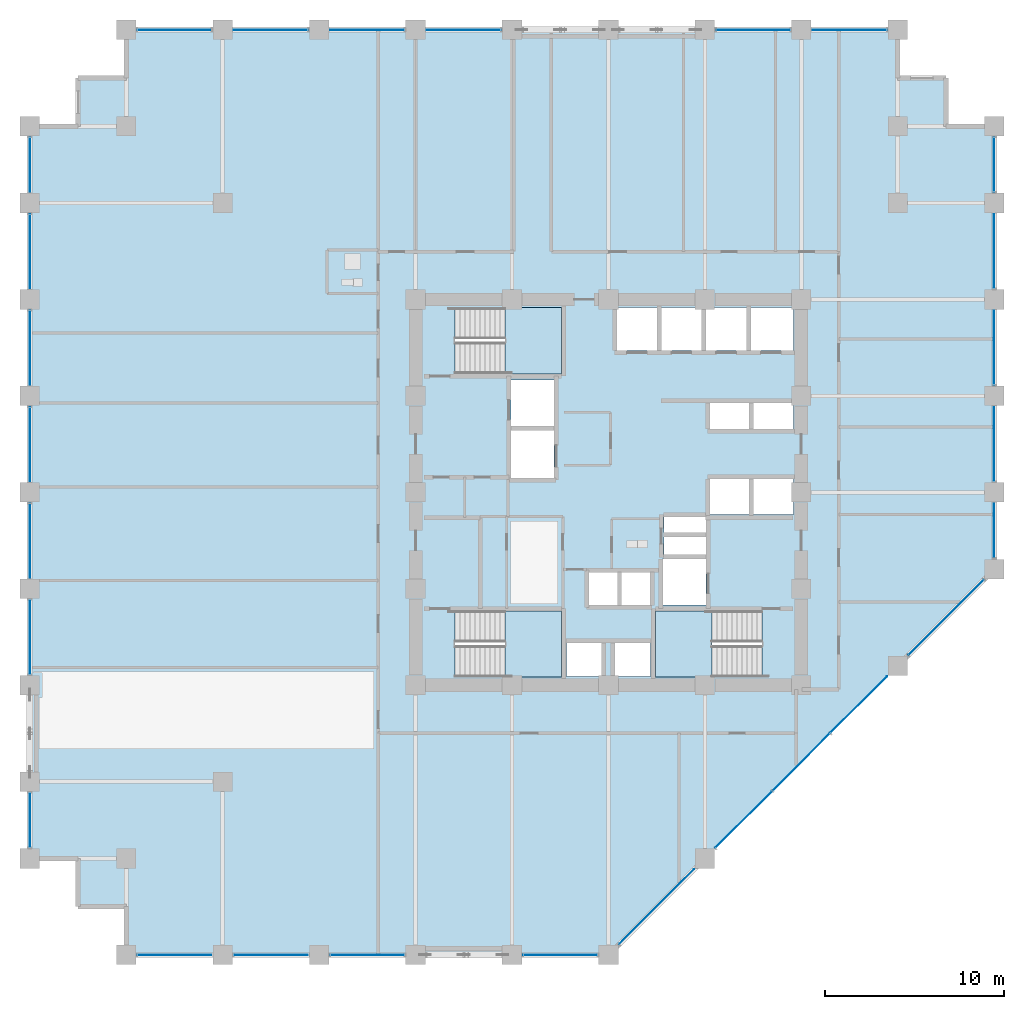
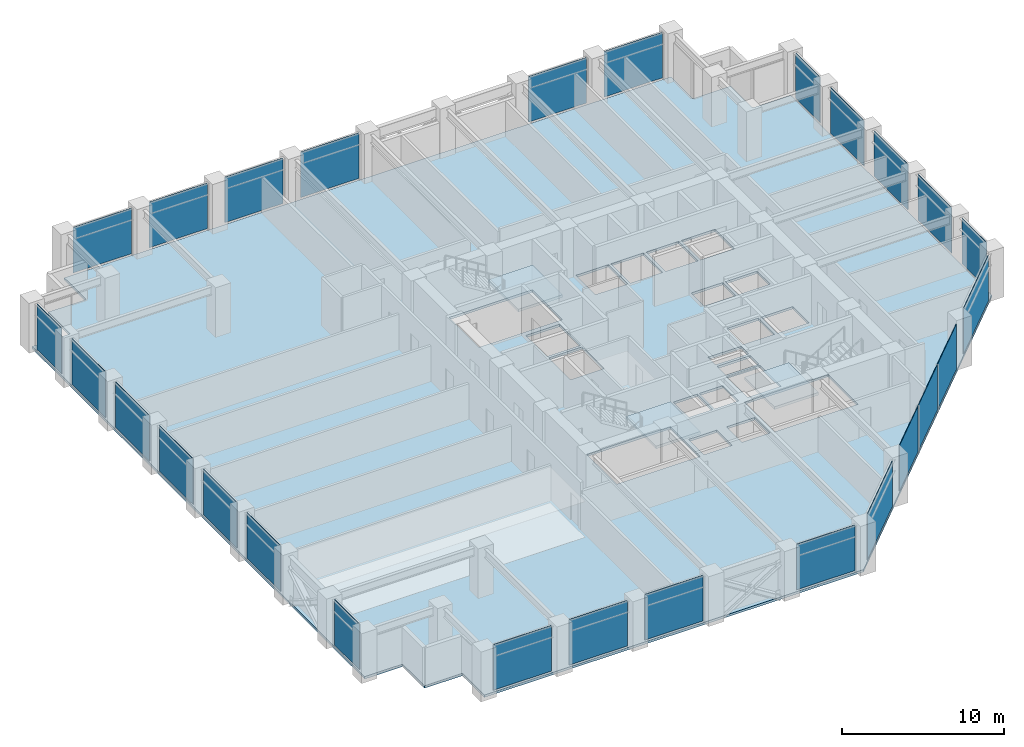
# One storey, part 17 of 25: 27 plates, 4 slabs, 11 elements without a shape of their own.
"""IFC4 building model written with IfcOpenShell, lengths in metres."""

from ifc_helpers import new_model, si_unit, direction, frame, frame_2d, origin, place, context, subcontext, project, spatial, polyline, rectangle, outline, extrude, material, layer, layer_set, type_object, element, aggregate, save


model = new_model("IFC4")

# Units and contexts
model_context = context("Model", 3, precision=1e-05, world=origin(), true_north=direction((0.0, 1.0)))
body_context = subcontext(model_context, "Body", "Model", "MODEL_VIEW")
ifc_project = project(units=[si_unit("LENGTHUNIT", "METRE"), si_unit("AREAUNIT", "SQUARE_METRE"), si_unit("VOLUMEUNIT", "CUBIC_METRE"), si_unit("PLANEANGLEUNIT", "RADIAN"), si_unit("MASSUNIT", "GRAM", prefix="KILO")], contexts=[model_context])

# Site, building, storey
site_placement = place(None, origin())
site = spatial("IfcSite", under=ifc_project, at=site_placement, CompositionType="ELEMENT")
building_placement = place(site_placement, origin())
building = spatial("IfcBuilding", under=site, at=building_placement, Name="Surkhivell Harbour Commons", CompositionType="ELEMENT")
storey_placement = place(building_placement, frame((0.0, 0.0, 109.5)))
storey = spatial("IfcBuildingStorey", under=building, at=storey_placement, Name="L28", CompositionType="ELEMENT", Elevation=109.5)

# Curtain wall, plates
ifc_material_1 = material(Name="Anodised pale-metal aluminium and insulated glazing", Category="aluminium")
ifc_layer_1 = layer(ifc_material_1, 0.205078125)
ifc_layer_set_1 = layer_set([ifc_layer_1], Name="Anodised pale-metal aluminium and insulated glazing")
curtain_wall_type = type_object("IfcCurtainWallType", Name="CW-SYS-Z2", PredefinedType="NOTDEFINED", material=ifc_layer_set_1)
curtain_wall_1_placement = place(storey_placement, origin())
curtain_wall_1 = element("IfcCurtainWall", 1, at=curtain_wall_1_placement, inside=storey, type_object=curtain_wall_type, Name="L28 Curtain Wall CW-L28-E00S1", PredefinedType="NOTDEFINED")
ifc_material_2 = material(Name="High-pressure typhoon laminated vision glass", Category="glass")
ifc_layer_2 = layer(ifc_material_2, 0.035888671875)
ifc_layer_set_2 = layer_set([ifc_layer_2], Name="High-pressure typhoon laminated vision glass")
plate_type = type_object("IfcPlateType", Name="CWP-GLZ-36", PredefinedType="CURTAIN_PANEL", material=ifc_layer_set_2)
plate_1_placement = place(storey_placement, frame((-26.373046875, -25.89990234375, 0.14990234375), z_axis=(0.0, 0.0, 1.0), x_axis=(1.0, 0.0, 0.0)))
plate_1 = element("IfcPlate", 2, at=plate_1_placement, type_object=plate_type, Name="CW-Z2 panel 1.1", PredefinedType="CURTAIN_PANEL", context=body_context, shape_type="SweptSolid", body=[
    extrude(rectangle(XDim=4.14599609375, YDim=0.035888671875, at=frame_2d((2.072998046875, 0.0))), origin(), (0.0, 0.0, 1.0), 3.420166015625),
])
plate_2_placement = place(storey_placement, frame((-20.972900390625, -25.89990234375, 0.14990234375), z_axis=(0.0, 0.0, 1.0), x_axis=(1.0, 0.0, 0.0)))
plate_2 = element("IfcPlate", 3, at=plate_2_placement, type_object=plate_type, Name="CW-Z2 panel 2.1", PredefinedType="CURTAIN_PANEL", context=body_context, shape_type="SweptSolid", body=[
    extrude(rectangle(XDim=4.14599609375, YDim=0.035888671875, at=frame_2d((2.072998046875, 0.0))), origin(), (0.0, 0.0, 1.0), 3.420166015625),
])
plate_3_placement = place(storey_placement, frame((-15.572998046875, -25.89990234375, 0.14990234375), z_axis=(0.0, 0.0, 1.0), x_axis=(1.0, 0.0, 0.0)))
plate_3 = element("IfcPlate", 4, at=plate_3_placement, type_object=plate_type, Name="CW-Z2 panel 3.1", PredefinedType="CURTAIN_PANEL", context=body_context, shape_type="SweptSolid", body=[
    extrude(rectangle(XDim=4.14599609375, YDim=0.035888671875, at=frame_2d((2.072998046875, 0.0))), origin(), (0.0, 0.0, 1.0), 3.420166015625),
])
aggregate(curtain_wall_1, [plate_1, plate_2, plate_3])

# Curtain wall, plate
curtain_wall_2_placement = place(storey_placement, origin())
curtain_wall_2 = element("IfcCurtainWall", 5, at=curtain_wall_2_placement, inside=storey, type_object=curtain_wall_type, Name="L28 Curtain Wall CW-L28-E00S2", PredefinedType="NOTDEFINED")
plate_4_placement = place(storey_placement, frame((-4.77294921875, -25.89990234375, 0.14990234375), z_axis=(0.0, 0.0, 1.0), x_axis=(1.0, 0.0, 0.0)))
plate_4 = element("IfcPlate", 6, at=plate_4_placement, type_object=plate_type, Name="CW-Z2 panel 1.1", PredefinedType="CURTAIN_PANEL", context=body_context, shape_type="SweptSolid", body=[
    extrude(rectangle(XDim=4.14599609375, YDim=0.035888671875, at=frame_2d((2.072998046875, 0.0))), origin(), (0.0, 0.0, 1.0), 3.420166015625),
])
aggregate(curtain_wall_2, [plate_4])

# Curtain wall, plates
curtain_wall_3_placement = place(storey_placement, origin())
curtain_wall_3 = element("IfcCurtainWall", 7, at=curtain_wall_3_placement, inside=storey, type_object=curtain_wall_type, Name="L28 Curtain Wall CW-L28-E01", PredefinedType="NOTDEFINED")
plate_5_placement = place(storey_placement, frame((0.604736328125, -25.295166015625, 0.14990234375), z_axis=(0.0, 0.0, 1.0), x_axis=(0.707106781187, 0.707106781187, 0.0)))
plate_5 = element("IfcPlate", 8, at=plate_5_placement, type_object=plate_type, Name="CW-Z2 panel 1.1", PredefinedType="CURTAIN_PANEL", context=body_context, shape_type="SweptSolid", body=[
    extrude(rectangle(XDim=5.92626953125, YDim=0.035888671875, at=frame_2d((2.963134765625, 0.0))), origin(), (0.0, 0.0, 1.0), 3.420166015625),
])
plate_6_placement = place(storey_placement, frame((6.004638671875, -19.895263671875, 0.14990234375), z_axis=(0.0, 0.0, 1.0), x_axis=(0.707134159244, 0.707079402069, 0.0)))
plate_6 = element("IfcPlate", 9, at=plate_6_placement, type_object=plate_type, Name="CW-Z2 panel 2.1", PredefinedType="CURTAIN_PANEL", context=body_context, shape_type="SweptSolid", body=[
    extrude(rectangle(XDim=4.45849609375, YDim=0.035888671875, at=frame_2d((2.229248046875, 0.0))), origin(), (0.0, 0.0, 1.0), 3.420166015625),
])
plate_7_placement = place(storey_placement, frame((9.21044921875, -16.689697265625, 0.14990234375), z_axis=(0.0, 0.0, 1.0), x_axis=(0.707106781187, 0.707106781187, 0.0)))
plate_7 = element("IfcPlate", 10, at=plate_7_placement, type_object=plate_type, Name="CW-Z2 panel 3.1", PredefinedType="CURTAIN_PANEL", context=body_context, shape_type="SweptSolid", body=[
    extrude(rectangle(XDim=4.49609375, YDim=0.035888671875, at=frame_2d((2.248046875, 0.0))), origin(), (0.0, 0.0, 1.0), 3.420166015625),
])
plate_8_placement = place(storey_placement, frame((12.442626953125, -13.457275390625, 0.14990234375), z_axis=(0.0, 0.0, 1.0), x_axis=(0.707106781187, 0.707106781187, 0.0)))
plate_8 = element("IfcPlate", 11, at=plate_8_placement, type_object=plate_type, Name="CW-Z2 panel 4.1", PredefinedType="CURTAIN_PANEL", context=body_context, shape_type="SweptSolid", body=[
    extrude(rectangle(XDim=4.45849609375, YDim=0.035888671875, at=frame_2d((2.229248046875, 0.0))), origin(), (0.0, 0.0, 1.0), 3.420166015625),
])
plate_9_placement = place(storey_placement, frame((16.8046875, -9.09521484375, 0.14990234375), z_axis=(0.0, 0.0, 1.0), x_axis=(0.707127378829, 0.707086182944, 0.0)))
plate_9 = element("IfcPlate", 12, at=plate_9_placement, type_object=plate_type, Name="CW-Z2 panel 5.1", PredefinedType="CURTAIN_PANEL", context=body_context, shape_type="SweptSolid", body=[
    extrude(rectangle(XDim=5.92626953125, YDim=0.035888671875, at=frame_2d((2.963134765625, 0.0))), origin(), (0.0, 0.0, 1.0), 3.420166015625),
])
aggregate(curtain_wall_3, [plate_5, plate_6, plate_7, plate_8, plate_9])

curtain_wall_4_placement = place(storey_placement, origin())
curtain_wall_4 = element("IfcCurtainWall", 13, at=curtain_wall_4_placement, inside=storey, type_object=curtain_wall_type, Name="L28 Curtain Wall CW-L28-E02", PredefinedType="NOTDEFINED")
plate_10_placement = place(storey_placement, frame((21.60009765625, -3.673095703125, 0.14990234375), z_axis=(0.0, 0.0, 1.0), x_axis=(0.0, 1.0, 0.0)))
plate_10 = element("IfcPlate", 14, at=plate_10_placement, type_object=plate_type, Name="CW-Z2 panel 1.1", PredefinedType="CURTAIN_PANEL", context=body_context, shape_type="SweptSolid", body=[
    extrude(rectangle(XDim=3.046142578125, YDim=0.035888671875, at=frame_2d((1.52294921875, 0.0))), origin(), (0.0, 0.0, 1.0), 3.420166015625),
])
plate_11_placement = place(storey_placement, frame((21.60009765625, 0.626953125, 0.14990234375), z_axis=(0.0, 0.0, 1.0), x_axis=(0.0, 1.0, 0.0)))
plate_11 = element("IfcPlate", 15, at=plate_11_placement, type_object=plate_type, Name="CW-Z2 panel 2.1", PredefinedType="CURTAIN_PANEL", context=body_context, shape_type="SweptSolid", body=[
    extrude(rectangle(XDim=4.14599609375, YDim=0.035888671875, at=frame_2d((2.072998046875, 0.0))), origin(), (0.0, 0.0, 1.0), 3.420166015625),
])
plate_12_placement = place(storey_placement, frame((21.60009765625, 6.027099609375, 0.14990234375), z_axis=(0.0, 0.0, 1.0), x_axis=(0.0, 1.0, 0.0)))
plate_12 = element("IfcPlate", 16, at=plate_12_placement, type_object=plate_type, Name="CW-Z2 panel 3.1", PredefinedType="CURTAIN_PANEL", context=body_context, shape_type="SweptSolid", body=[
    extrude(rectangle(XDim=4.14599609375, YDim=0.035888671875, at=frame_2d((2.072998046875, 0.0))), origin(), (0.0, 0.0, 1.0), 3.420166015625),
])
plate_13_placement = place(storey_placement, frame((21.60009765625, 11.427001953125, 0.14990234375), z_axis=(0.0, 0.0, 1.0), x_axis=(0.0, 1.0, 0.0)))
plate_13 = element("IfcPlate", 17, at=plate_13_placement, type_object=plate_type, Name="CW-Z2 panel 4.1", PredefinedType="CURTAIN_PANEL", context=body_context, shape_type="SweptSolid", body=[
    extrude(rectangle(XDim=4.14599609375, YDim=0.035888671875, at=frame_2d((2.072998046875, 0.0))), origin(), (0.0, 0.0, 1.0), 3.420166015625),
])
plate_14_placement = place(storey_placement, frame((21.60009765625, 16.826904296875, 0.14990234375), z_axis=(0.0, 0.0, 1.0), x_axis=(0.0, 1.0, 0.0)))
plate_14 = element("IfcPlate", 18, at=plate_14_placement, type_object=plate_type, Name="CW-Z2 panel 5.1", PredefinedType="CURTAIN_PANEL", context=body_context, shape_type="SweptSolid", body=[
    extrude(rectangle(XDim=3.046142578125, YDim=0.035888671875, at=frame_2d((1.52294921875, 0.0))), origin(), (0.0, 0.0, 1.0), 3.420166015625),
])
aggregate(curtain_wall_4, [plate_10, plate_11, plate_12, plate_13, plate_14])

curtain_wall_5_placement = place(storey_placement, origin())
curtain_wall_5 = element("IfcCurtainWall", 19, at=curtain_wall_5_placement, inside=storey, type_object=curtain_wall_type, Name="L28 Curtain Wall CW-L28-E07S1", PredefinedType="NOTDEFINED")
plate_15_placement = place(storey_placement, frame((15.572998046875, 25.89990234375, 0.14990234375), z_axis=(0.0, 0.0, 1.0), x_axis=(-1.0, 0.0, 0.0)))
plate_15 = element("IfcPlate", 20, at=plate_15_placement, type_object=plate_type, Name="CW-Z2 panel 1.1", PredefinedType="CURTAIN_PANEL", context=body_context, shape_type="SweptSolid", body=[
    extrude(rectangle(XDim=4.14599609375, YDim=0.035888671875, at=frame_2d((2.072998046875, 0.0))), origin(), (0.0, 0.0, 1.0), 3.420166015625),
])
plate_16_placement = place(storey_placement, frame((10.173095703125, 25.89990234375, 0.14990234375), z_axis=(0.0, 0.0, 1.0), x_axis=(-1.0, 0.0, 0.0)))
plate_16 = element("IfcPlate", 21, at=plate_16_placement, type_object=plate_type, Name="CW-Z2 panel 2.1", PredefinedType="CURTAIN_PANEL", context=body_context, shape_type="SweptSolid", body=[
    extrude(rectangle(XDim=4.14599609375, YDim=0.035888671875, at=frame_2d((2.072998046875, 0.0))), origin(), (0.0, 0.0, 1.0), 3.420166015625),
])
aggregate(curtain_wall_5, [plate_15, plate_16])

curtain_wall_6_placement = place(storey_placement, origin())
curtain_wall_6 = element("IfcCurtainWall", 22, at=curtain_wall_6_placement, inside=storey, type_object=curtain_wall_type, Name="L28 Curtain Wall CW-L28-E07S2", PredefinedType="NOTDEFINED")
plate_17_placement = place(storey_placement, frame((-6.027099609375, 25.89990234375, 0.14990234375), z_axis=(0.0, 0.0, 1.0), x_axis=(-1.0, 0.0, 0.0)))
plate_17 = element("IfcPlate", 23, at=plate_17_placement, type_object=plate_type, Name="CW-Z2 panel 1.1", PredefinedType="CURTAIN_PANEL", context=body_context, shape_type="SweptSolid", body=[
    extrude(rectangle(XDim=4.14599609375, YDim=0.035888671875, at=frame_2d((2.072998046875, 0.0))), origin(), (0.0, 0.0, 1.0), 3.420166015625),
])
plate_18_placement = place(storey_placement, frame((-11.427001953125, 25.89990234375, 0.14990234375), z_axis=(0.0, 0.0, 1.0), x_axis=(-1.0, 0.0, 0.0)))
plate_18 = element("IfcPlate", 24, at=plate_18_placement, type_object=plate_type, Name="CW-Z2 panel 2.1", PredefinedType="CURTAIN_PANEL", context=body_context, shape_type="SweptSolid", body=[
    extrude(rectangle(XDim=4.14599609375, YDim=0.035888671875, at=frame_2d((2.072998046875, 0.0))), origin(), (0.0, 0.0, 1.0), 3.420166015625),
])
plate_19_placement = place(storey_placement, frame((-16.826904296875, 25.89990234375, 0.14990234375), z_axis=(0.0, 0.0, 1.0), x_axis=(-1.0, 0.0, 0.0)))
plate_19 = element("IfcPlate", 25, at=plate_19_placement, type_object=plate_type, Name="CW-Z2 panel 3.1", PredefinedType="CURTAIN_PANEL", context=body_context, shape_type="SweptSolid", body=[
    extrude(rectangle(XDim=4.14599609375, YDim=0.035888671875, at=frame_2d((2.072998046875, 0.0))), origin(), (0.0, 0.0, 1.0), 3.420166015625),
])
plate_20_placement = place(storey_placement, frame((-22.22705078125, 25.89990234375, 0.14990234375), z_axis=(0.0, 0.0, 1.0), x_axis=(-1.0, 0.0, 0.0)))
plate_20 = element("IfcPlate", 26, at=plate_20_placement, type_object=plate_type, Name="CW-Z2 panel 4.1", PredefinedType="CURTAIN_PANEL", context=body_context, shape_type="SweptSolid", body=[
    extrude(rectangle(XDim=4.14599609375, YDim=0.035888671875, at=frame_2d((2.072998046875, 0.0))), origin(), (0.0, 0.0, 1.0), 3.420166015625),
])
aggregate(curtain_wall_6, [plate_17, plate_18, plate_19, plate_20])

curtain_wall_7_placement = place(storey_placement, origin())
curtain_wall_7 = element("IfcCurtainWall", 27, at=curtain_wall_7_placement, inside=storey, type_object=curtain_wall_type, Name="L28 Curtain Wall CW-L28-E12S1", PredefinedType="NOTDEFINED")
plate_21_placement = place(storey_placement, frame((-32.39990234375, 19.873046875, 0.14990234375), z_axis=(0.0, 0.0, 1.0), x_axis=(0.0, -1.0, 0.0)))
plate_21 = element("IfcPlate", 28, at=plate_21_placement, type_object=plate_type, Name="CW-Z2 panel 1.1", PredefinedType="CURTAIN_PANEL", context=body_context, shape_type="SweptSolid", body=[
    extrude(rectangle(XDim=3.046142578125, YDim=0.035888671875, at=frame_2d((1.52294921875, 0.0))), origin(), (0.0, 0.0, 1.0), 3.420166015625),
])
plate_22_placement = place(storey_placement, frame((-32.39990234375, 15.572998046875, 0.14990234375), z_axis=(0.0, 0.0, 1.0), x_axis=(0.0, -1.0, 0.0)))
plate_22 = element("IfcPlate", 29, at=plate_22_placement, type_object=plate_type, Name="CW-Z2 panel 2.1", PredefinedType="CURTAIN_PANEL", context=body_context, shape_type="SweptSolid", body=[
    extrude(rectangle(XDim=4.14599609375, YDim=0.035888671875, at=frame_2d((2.072998046875, 0.0))), origin(), (0.0, 0.0, 1.0), 3.420166015625),
])
plate_23_placement = place(storey_placement, frame((-32.39990234375, 10.173095703125, 0.14990234375), z_axis=(0.0, 0.0, 1.0), x_axis=(0.0, -1.0, 0.0)))
plate_23 = element("IfcPlate", 30, at=plate_23_placement, type_object=plate_type, Name="CW-Z2 panel 3.1", PredefinedType="CURTAIN_PANEL", context=body_context, shape_type="SweptSolid", body=[
    extrude(rectangle(XDim=4.14599609375, YDim=0.035888671875, at=frame_2d((2.072998046875, 0.0))), origin(), (0.0, 0.0, 1.0), 3.420166015625),
])
plate_24_placement = place(storey_placement, frame((-32.39990234375, 4.77294921875, 0.14990234375), z_axis=(0.0, 0.0, 1.0), x_axis=(0.0, -1.0, 0.0)))
plate_24 = element("IfcPlate", 31, at=plate_24_placement, type_object=plate_type, Name="CW-Z2 panel 4.1", PredefinedType="CURTAIN_PANEL", context=body_context, shape_type="SweptSolid", body=[
    extrude(rectangle(XDim=4.14599609375, YDim=0.035888671875, at=frame_2d((2.072998046875, 0.0))), origin(), (0.0, 0.0, 1.0), 3.420166015625),
])
plate_25_placement = place(storey_placement, frame((-32.39990234375, -0.626953125, 0.14990234375), z_axis=(0.0, 0.0, 1.0), x_axis=(0.0, -1.0, 0.0)))
plate_25 = element("IfcPlate", 32, at=plate_25_placement, type_object=plate_type, Name="CW-Z2 panel 5.1", PredefinedType="CURTAIN_PANEL", context=body_context, shape_type="SweptSolid", body=[
    extrude(rectangle(XDim=4.14599609375, YDim=0.035888671875, at=frame_2d((2.072998046875, 0.0))), origin(), (0.0, 0.0, 1.0), 3.420166015625),
])
plate_26_placement = place(storey_placement, frame((-32.39990234375, -6.027099609375, 0.14990234375), z_axis=(0.0, 0.0, 1.0), x_axis=(0.0, -1.0, 0.0)))
plate_26 = element("IfcPlate", 33, at=plate_26_placement, type_object=plate_type, Name="CW-Z2 panel 6.1", PredefinedType="CURTAIN_PANEL", context=body_context, shape_type="SweptSolid", body=[
    extrude(rectangle(XDim=4.14599609375, YDim=0.035888671875, at=frame_2d((2.072998046875, 0.0))), origin(), (0.0, 0.0, 1.0), 3.420166015625),
])
aggregate(curtain_wall_7, [plate_21, plate_22, plate_23, plate_24, plate_25, plate_26])

# Curtain wall, plate
curtain_wall_8_placement = place(storey_placement, origin())
curtain_wall_8 = element("IfcCurtainWall", 34, at=curtain_wall_8_placement, inside=storey, type_object=curtain_wall_type, Name="L28 Curtain Wall CW-L28-E12S2", PredefinedType="NOTDEFINED")
plate_27_placement = place(storey_placement, frame((-32.39990234375, -16.826904296875, 0.14990234375), z_axis=(0.0, 0.0, 1.0), x_axis=(0.0, -1.0, 0.0)))
plate_27 = element("IfcPlate", 35, at=plate_27_placement, type_object=plate_type, Name="CW-Z2 panel 1.1", PredefinedType="CURTAIN_PANEL", context=body_context, shape_type="SweptSolid", body=[
    extrude(rectangle(XDim=3.046142578125, YDim=0.035888671875, at=frame_2d((1.52294921875, 0.0))), origin(), (0.0, 0.0, 1.0), 3.420166015625),
])
aggregate(curtain_wall_8, [plate_27])

# Stair, slab
ifc_material_3 = material(Name="Precast concrete C45/55", Category="concrete")
stair_type = type_object("IfcStairType", Name="STR-DL-375", PredefinedType="HALF_TURN_STAIR", material=ifc_material_3)
stair_1_placement = place(storey_placement, origin())
stair_1 = element("IfcStair", 36, at=stair_1_placement, inside=storey, type_object=stair_type, Name="L28 Core Exit Stair ST1", PredefinedType="HALF_TURN_STAIR")
ifc_material_4 = material(Name="Reinforced concrete C45/55", Category="concrete")
ifc_layer_3 = layer(ifc_material_4, 0.199951171875)
ifc_layer_set_3 = layer_set([ifc_layer_3], Name="Reinforced concrete C45/55")
slab_type_1 = type_object("IfcSlabType", Name="SLB-ST-LND200", PredefinedType="LANDING", material=ifc_layer_set_3)
slab_1_placement = place(storey_placement, frame((0.0, 0.0, 1.675048828125)))
slab_1 = element("IfcSlab", 37, at=slab_1_placement, type_object=slab_type_1, Name="ST1 landing 1", PredefinedType="LANDING", context=body_context, shape_type="SweptSolid", body=[
    extrude(outline(polyline([(-5.7900390625, 6.639892578125), (-2.639892578125, 6.639892578125), (-2.639892578125, 10.340087890625), (-5.7900390625, 10.340087890625), (-5.7900390625, 6.639892578125)])), origin(), (0.0, 0.0, 1.0), 0.199951171875),
])
aggregate(stair_1, [slab_1])

stair_2_placement = place(storey_placement, origin())
stair_2 = element("IfcStair", 38, at=stair_2_placement, inside=storey, type_object=stair_type, Name="L28 Core Exit Stair ST2", PredefinedType="HALF_TURN_STAIR")
slab_2_placement = place(storey_placement, frame((0.0, 0.0, 1.675048828125)))
slab_2 = element("IfcSlab", 39, at=slab_2_placement, type_object=slab_type_1, Name="ST2 landing 1", PredefinedType="LANDING", context=body_context, shape_type="SweptSolid", body=[
    extrude(outline(polyline([(5.7900390625, -6.639892578125), (2.639892578125, -6.639892578125), (2.639892578125, -10.340087890625), (5.7900390625, -10.340087890625), (5.7900390625, -6.639892578125)])), origin(), (0.0, 0.0, 1.0), 0.199951171875),
])
aggregate(stair_2, [slab_2])

stair_3_placement = place(storey_placement, origin())
stair_3 = element("IfcStair", 40, at=stair_3_placement, inside=storey, type_object=stair_type, Name="L28 Core Exit Stair ST3", PredefinedType="HALF_TURN_STAIR")
slab_3_placement = place(storey_placement, frame((0.0, 0.0, 1.675048828125)))
slab_3 = element("IfcSlab", 41, at=slab_3_placement, type_object=slab_type_1, Name="ST3 landing 1", PredefinedType="LANDING", context=body_context, shape_type="SweptSolid", body=[
    extrude(outline(polyline([(-5.7900390625, -10.340087890625), (-2.639892578125, -10.340087890625), (-2.639892578125, -6.639892578125), (-5.7900390625, -6.639892578125), (-5.7900390625, -10.340087890625)])), origin(), (0.0, 0.0, 1.0), 0.199951171875),
])
aggregate(stair_3, [slab_3])

# Slab
ifc_material_5 = material(Name="Concrete C45/55", Category="concrete")
ifc_layer_4 = layer(ifc_material_5, 0.179931640625)
ifc_layer_set_4 = layer_set([ifc_layer_4], Name="Concrete C45/55")
slab_type_2 = type_object("IfcSlabType", Name="SLB-TYP-180", PredefinedType="FLOOR", material=ifc_layer_set_4)
slab_4_placement = place(storey_placement, frame((0.0, 0.0, -0.179931640625)))
element("IfcSlab", 42, at=slab_4_placement, inside=storey, type_object=slab_type_2, Name="L28 Structural Floor Slab", PredefinedType="FLOOR", context=body_context, shape_type="SweptSolid", body=[
    extrude(outline(polyline([(-27.0, -25.89990234375), (0.0, -25.89990234375), (21.60009765625, -4.300048828125), (21.60009765625, 20.5), (18.89990234375, 20.5), (18.89990234375, 23.199951171875), (16.199951171875, 23.199951171875), (16.199951171875, 25.89990234375), (-27.0, 25.89990234375), (-27.0, 23.199951171875), (-29.699951171875, 23.199951171875), (-29.699951171875, 20.5), (-32.39990234375, 20.5), (-32.39990234375, -20.5), (-29.699951171875, -20.5), (-29.699951171875, -23.199951171875), (-27.0, -23.199951171875), (-27.0, -25.89990234375)]), holes=[polyline([(-8.590087890625, 6.639892578125), (-2.639892578125, 6.639892578125), (-2.639892578125, 10.340087890625), (-8.590087890625, 10.340087890625), (-8.590087890625, 6.639892578125)]), polyline([(8.590087890625, -6.639892578125), (2.639892578125, -6.639892578125), (2.639892578125, -10.340087890625), (8.590087890625, -10.340087890625), (8.590087890625, -6.639892578125)]), polyline([(-8.590087890625, -10.340087890625), (-2.639892578125, -10.340087890625), (-2.639892578125, -6.639892578125), (-8.590087890625, -6.639892578125), (-8.590087890625, -10.340087890625)]), polyline([(0.449951171875, 7.949951171875), (2.75, 7.949951171875), (2.75, 10.35009765625), (0.449951171875, 10.35009765625), (0.449951171875, 7.949951171875)]), polyline([(2.949951171875, 7.949951171875), (5.25, 7.949951171875), (5.25, 10.35009765625), (2.949951171875, 10.35009765625), (2.949951171875, 7.949951171875)]), polyline([(5.449951171875, 7.949951171875), (7.75, 7.949951171875), (7.75, 10.35009765625), (5.449951171875, 10.35009765625), (5.449951171875, 7.949951171875)]), polyline([(7.949951171875, 7.949951171875), (10.35009765625, 7.949951171875), (10.35009765625, 10.35009765625), (7.949951171875, 10.35009765625), (7.949951171875, 7.949951171875)]), polyline([(5.64990234375, 3.550048828125), (7.89990234375, 3.550048828125), (7.89990234375, 5.14990234375), (5.64990234375, 5.14990234375), (5.64990234375, 3.550048828125)]), polyline([(8.10009765625, 3.550048828125), (10.35009765625, 3.550048828125), (10.35009765625, 5.14990234375), (8.10009765625, 5.14990234375), (8.10009765625, 3.550048828125)]), polyline([(5.64990234375, -1.25), (7.89990234375, -1.25), (7.89990234375, 0.75), (5.64990234375, 0.75), (5.64990234375, -1.25)]), polyline([(8.10009765625, -1.25), (10.35009765625, -1.25), (10.35009765625, 0.75), (8.10009765625, 0.75), (8.10009765625, -1.25)]), polyline([(-1.14990234375, -6.35009765625), (0.550048828125, -6.35009765625), (0.550048828125, -4.449951171875), (-1.14990234375, -4.449951171875), (-1.14990234375, -6.35009765625)]), polyline([(0.679931640625, -6.35009765625), (2.3798828125, -6.35009765625), (2.3798828125, -4.449951171875), (0.679931640625, -4.449951171875), (0.679931640625, -6.35009765625)]), polyline([(-2.35009765625, -10.300048828125), (-0.35009765625, -10.300048828125), (-0.35009765625, -8.39990234375), (-2.35009765625, -8.39990234375), (-2.35009765625, -10.300048828125)]), polyline([(0.35009765625, -10.300048828125), (2.35009765625, -10.300048828125), (2.35009765625, -8.39990234375), (0.35009765625, -8.39990234375), (0.35009765625, -10.300048828125)]), polyline([(-5.449951171875, 3.699951171875), (-3.050048828125, 3.699951171875), (-3.050048828125, 6.300048828125), (-5.449951171875, 6.300048828125), (-5.449951171875, 3.699951171875)]), polyline([(3.050048828125, -6.300048828125), (5.449951171875, -6.300048828125), (5.449951171875, -3.699951171875), (3.050048828125, -3.699951171875), (3.050048828125, -6.300048828125)]), polyline([(-5.449951171875, 0.800048828125), (-3.050048828125, 0.800048828125), (-3.050048828125, 3.5), (-5.449951171875, 3.5), (-5.449951171875, 0.800048828125)]), polyline([(3.10009765625, -3.550048828125), (5.449951171875, -3.550048828125), (5.449951171875, -2.47998046875), (3.10009765625, -2.47998046875), (3.10009765625, -3.550048828125)]), polyline([(3.10009765625, -2.280029296875), (5.449951171875, -2.280029296875), (5.449951171875, -1.35009765625), (3.10009765625, -1.35009765625), (3.10009765625, -2.280029296875)])]), origin(), (0.0, 0.0, 1.0), 0.179931640625),
])

save(model, "model.ifc")
